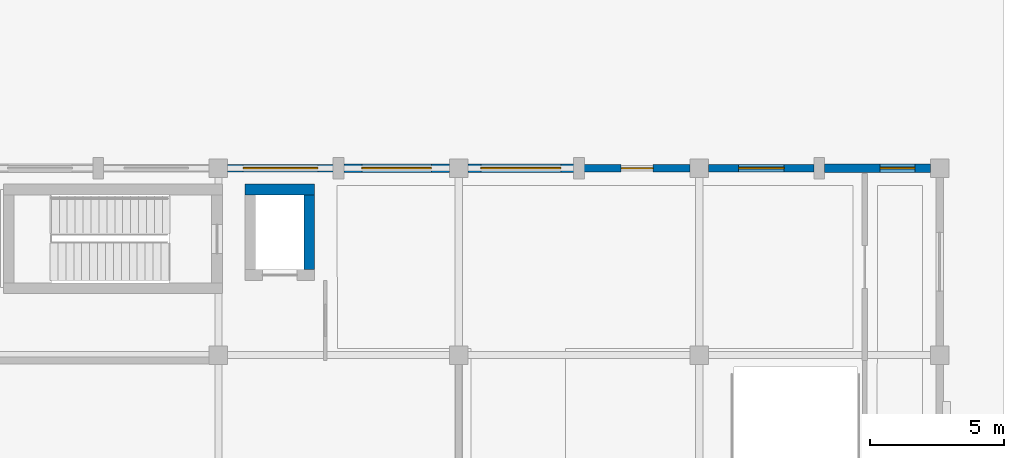
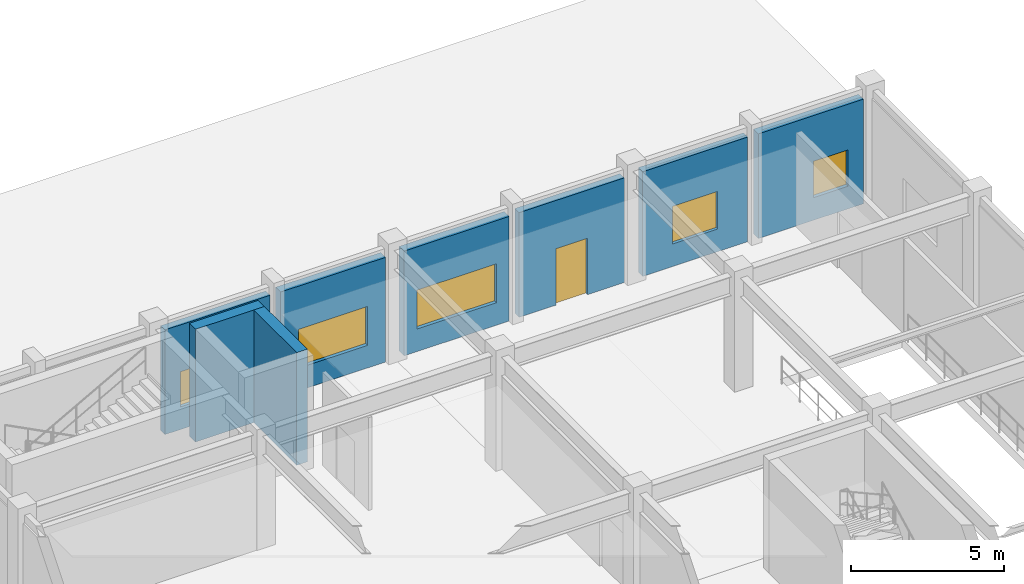
# One storey, part 40 of 47: 8 walls, 5 windows, 1 door, 6 openings.
"""IFC4 building model written with IfcOpenShell, lengths in metres."""

from ifc_helpers import new_model, si_unit, direction, frame, frame_2d, origin, place, context, subcontext, project, spatial, rectangle, extrude, material, layer, layer_set, type_object, element, fill, save


model = new_model("IFC4")

# Units and contexts
model_context = context("Model", 3, precision=1e-05, world=origin(), true_north=direction((0.0, 1.0)))
body_context = subcontext(model_context, "Body", "Model", "MODEL_VIEW")
ifc_project = project(units=[si_unit("LENGTHUNIT", "METRE"), si_unit("AREAUNIT", "SQUARE_METRE"), si_unit("VOLUMEUNIT", "CUBIC_METRE"), si_unit("PLANEANGLEUNIT", "RADIAN"), si_unit("MASSUNIT", "GRAM", prefix="KILO")], contexts=[model_context])

# Site, building, storey
site_placement = place(None, origin())
site = spatial("IfcSite", under=ifc_project, at=site_placement, CompositionType="ELEMENT")
building_placement = place(site_placement, origin())
building = spatial("IfcBuilding", under=site, at=building_placement, Name="Ventoquebrada Cableway Terminal", CompositionType="ELEMENT")
storey_placement = place(building_placement, origin())
storey = spatial("IfcBuildingStorey", under=building, at=storey_placement, Name="L00", CompositionType="ELEMENT", Elevation=0.0)

# Walls
ifc_material_1 = material(Name="Concrete C40/50", Category="concrete")
ifc_layer_1 = layer(ifc_material_1, 0.39990234375)
ifc_layer_set_1 = layer_set([ifc_layer_1], Name="Concrete C40/50")
wall_type_1 = type_object("IfcWallType", Name="WL-CR1", PredefinedType="SHEAR", material=ifc_layer_set_1)
wall_1_placement = place(storey_placement, frame((141.39990234375, 98.199951171875, 0.0), z_axis=(0.0, 0.0, 1.0), x_axis=(0.0, 1.0, 0.0)))
element("IfcWall", 1, at=wall_1_placement, inside=storey, type_object=wall_type_1, Name="Core shear wall IW-0166", PredefinedType="SHEAR", context=body_context, shape_type="SweptSolid", body=[
    extrude(rectangle(XDim=2.800048828125, YDim=0.39990234375, at=frame_2d((1.39990234375, 0.0))), origin(), (0.0, 0.0, 1.0), 4.489990234375),
])
wall_2_placement = place(storey_placement, frame((141.60009765625, 101.199951171875, 0.0), z_axis=(0.0, 0.0, 1.0), x_axis=(-1.0, 0.0, 0.0)))
element("IfcWall", 2, at=wall_2_placement, inside=storey, type_object=wall_type_1, Name="Core shear wall IW-0167", PredefinedType="SHEAR", context=body_context, shape_type="SweptSolid", body=[
    extrude(rectangle(XDim=2.60009765625, YDim=0.39990234375, at=frame_2d((1.300048828125, 0.0))), origin(), (0.0, 0.0, 1.0), 4.489990234375),
])

# Wall, opening, window
ifc_material_2 = material(Name="Precast architectural concrete C40/50", Category="concrete")
ifc_layer_2 = layer(ifc_material_2, 0.280029296875)
ifc_layer_set_2 = layer_set([ifc_layer_2], Name="Precast architectural concrete C40/50")
wall_type_2 = type_object("IfcWallType", Name="WL-EX1", PredefinedType="SOLIDWALL", material=ifc_layer_set_2)
wall_3_placement = place(storey_placement, frame((142.304931640625, 102.0, 0.0), z_axis=(0.0, 0.0, 1.0), x_axis=(-1.0, 0.0, 0.0)))
wall_3 = element("IfcWall", 3, at=wall_3_placement, inside=storey, type_object=wall_type_2, Name="Exterior architectural wall EW-0248", PredefinedType="SOLIDWALL", context=body_context, shape_type="SweptSolid", body=[
    extrude(rectangle(XDim=3.9599609375, YDim=0.280029296875, at=frame_2d((1.97998046875, 0.0))), origin(), (0.0, 0.0, 1.0), 4.169921875),
])
opening_1_placement = place(wall_3_placement, frame((0.580078125, 0.0, 0.89990234375)))
opening_1 = element("IfcOpeningElement", 4, at=opening_1_placement, cuts=wall_3, Name="Opening WN-133", PredefinedType="OPENING", context=body_context, shape_type="SweptSolid", body=[
    extrude(rectangle(XDim=2.800048828125, YDim=1.39990234375, at=frame_2d((1.39990234375, 0.699951171875))), frame((0.0, 0.14990234375, 0.0), z_axis=(0.0, -1.0, 0.0), x_axis=(1.0, 0.0, 0.0)), (0.0, 0.0, 1.0), 0.300048828125),
])
ifc_material_3 = material(Name="Double low-e laminated safety glazing", Category="glass")
window_type_1 = type_object("IfcWindowType", Name="WT-13", PartitioningType="SINGLE_PANEL", PredefinedType="WINDOW", material=ifc_material_3)
window_1_placement = place(opening_1_placement, origin())
window_1 = element("IfcWindow", 5, at=window_1_placement, inside=storey, type_object=window_type_1, Name="Architectural punched window WN-133", OverallHeight=1.39990234375, OverallWidth=2.800048828125, PartitioningType="SINGLE_PANEL", PredefinedType="WINDOW", context=body_context, shape_type="SweptSolid", body=[
    extrude(rectangle(XDim=2.800048828125, YDim=1.39990234375, at=frame_2d((1.39990234375, 0.699951171875))), frame((0.0, 0.030029296875, 0.0), z_axis=(0.0, -1.0, 0.0), x_axis=(1.0, 0.0, 0.0)), (0.0, 0.0, 1.0), 0.06005859375),
])
fill(opening_1, window_1)

# Wall, opening, door
wall_4_placement = place(storey_placement, frame((155.655029296875, 102.0, 0.0), z_axis=(0.0, 0.0, 1.0), x_axis=(-1.0, 0.0, 0.0)))
wall_4 = element("IfcWall", 6, at=wall_4_placement, inside=storey, type_object=wall_type_2, Name="Exterior architectural wall EW-0249", PredefinedType="SOLIDWALL", context=body_context, shape_type="SweptSolid", body=[
    extrude(rectangle(XDim=3.9599609375, YDim=0.280029296875, at=frame_2d((1.97998046875, 0.0))), origin(), (0.0, 0.0, 1.0), 4.169921875),
])
opening_2_placement = place(wall_4_placement, frame((1.3798828125, 0.0, 0.0)))
opening_2 = element("IfcOpeningElement", 7, at=opening_2_placement, cuts=wall_4, Name="Opening D-EX-19", PredefinedType="OPENING", context=body_context, shape_type="SweptSolid", body=[
    extrude(rectangle(XDim=1.199951171875, YDim=2.25, at=frame_2d((0.60009765625, 1.125))), frame((0.0, 0.14990234375, 0.0), z_axis=(0.0, -1.0, 0.0), x_axis=(1.0, 0.0, 0.0)), (0.0, 0.0, 1.0), 0.300048828125),
])
ifc_material_4 = material(Name="Galvanized acoustic steel door assembly", Category="steel")
door_type = type_object("IfcDoorType", Name="DT-EX05", OperationType="SINGLE_SWING_RIGHT", PredefinedType="DOOR", material=ifc_material_4)
door_placement = place(opening_2_placement, origin())
door = element("IfcDoor", 8, at=door_placement, inside=storey, type_object=door_type, Name="Exterior d-ex door D-EX-19", OperationType="SINGLE_SWING_RIGHT", OverallHeight=2.25, OverallWidth=1.199951171875, PredefinedType="DOOR", context=body_context, shape_type="SweptSolid", body=[
    extrude(rectangle(XDim=1.199951171875, YDim=2.25, at=frame_2d((0.60009765625, 1.125))), frame((0.0, 0.02490234375, 0.0), z_axis=(0.0, -1.0, 0.0), x_axis=(1.0, 0.0, 0.0)), (0.0, 0.0, 1.0), 0.050048828125),
])
fill(opening_2, door)

# Wall, opening, window
wall_5_placement = place(storey_placement, frame((160.304931640625, 102.0, 0.0), z_axis=(0.0, 0.0, 1.0), x_axis=(-1.0, 0.0, 0.0)))
wall_5 = element("IfcWall", 9, at=wall_5_placement, inside=storey, type_object=wall_type_2, Name="Exterior architectural wall EW-0252", PredefinedType="SOLIDWALL", context=body_context, shape_type="SweptSolid", body=[
    extrude(rectangle(XDim=3.9599609375, YDim=0.280029296875, at=frame_2d((1.97998046875, 0.0))), origin(), (0.0, 0.0, 1.0), 4.169921875),
])
opening_3_placement = place(wall_5_placement, frame((1.1298828125, 0.0, 0.89990234375)))
opening_3 = element("IfcOpeningElement", 10, at=opening_3_placement, cuts=wall_5, Name="Opening WN-136", PredefinedType="OPENING", context=body_context, shape_type="SweptSolid", body=[
    extrude(rectangle(XDim=1.699951171875, YDim=1.5, at=frame_2d((0.85009765625, 0.75))), frame((0.0, 0.14990234375, 0.0), z_axis=(0.0, -1.0, 0.0), x_axis=(1.0, 0.0, 0.0)), (0.0, 0.0, 1.0), 0.300048828125),
])
window_type_2 = type_object("IfcWindowType", Name="WT-16", PartitioningType="SINGLE_PANEL", PredefinedType="WINDOW", material=ifc_material_3)
window_2_placement = place(opening_3_placement, origin())
window_2 = element("IfcWindow", 11, at=window_2_placement, inside=storey, type_object=window_type_2, Name="Architectural punched window WN-136", OverallHeight=1.5, OverallWidth=1.699951171875, PartitioningType="SINGLE_PANEL", PredefinedType="WINDOW", context=body_context, shape_type="SweptSolid", body=[
    extrude(rectangle(XDim=1.699951171875, YDim=1.5, at=frame_2d((0.85009765625, 0.75))), frame((0.0, 0.030029296875, 0.0), z_axis=(0.0, -1.0, 0.0), x_axis=(1.0, 0.0, 0.0)), (0.0, 0.0, 1.0), 0.06005859375),
])
fill(opening_3, window_2)

ifc_layer_3 = layer(ifc_material_2, 0.320068359375)
ifc_layer_set_3 = layer_set([ifc_layer_3], Name="Precast architectural concrete C40/50")
wall_type_3 = type_object("IfcWallType", Name="WL-EX2", PredefinedType="SOLIDWALL", material=ifc_layer_set_3)
wall_6_placement = place(storey_placement, frame((146.655029296875, 102.0, 0.0), z_axis=(0.0, 0.0, 1.0), x_axis=(-1.0, 0.0, 0.0)))
wall_6 = element("IfcWall", 12, at=wall_6_placement, inside=storey, type_object=wall_type_3, Name="Exterior architectural wall EW-0247", PredefinedType="SOLIDWALL", context=body_context, shape_type="SweptSolid", body=[
    extrude(rectangle(XDim=3.9599609375, YDim=0.320068359375, at=frame_2d((1.97998046875, 0.0))), origin(), (0.0, 0.0, 1.0), 4.169921875),
])
opening_4_placement = place(wall_6_placement, frame((0.679931640625, 0.0, 0.89990234375)))
opening_4 = element("IfcOpeningElement", 13, at=opening_4_placement, cuts=wall_6, Name="Opening WN-132", PredefinedType="OPENING", context=body_context, shape_type="SweptSolid", body=[
    extrude(rectangle(XDim=2.60009765625, YDim=1.550048828125, at=frame_2d((1.300048828125, 0.77490234375))), frame((0.0, 0.169921875, 0.0), z_axis=(0.0, -1.0, 0.0), x_axis=(1.0, 0.0, 0.0)), (0.0, 0.0, 1.0), 0.340087890625),
])
window_type_3 = type_object("IfcWindowType", Name="WT-12", PartitioningType="SINGLE_PANEL", PredefinedType="WINDOW", material=ifc_material_3)
window_3_placement = place(opening_4_placement, origin())
window_3 = element("IfcWindow", 14, at=window_3_placement, inside=storey, type_object=window_type_3, Name="Architectural punched window WN-132", OverallHeight=1.550048828125, OverallWidth=2.60009765625, PartitioningType="SINGLE_PANEL", PredefinedType="WINDOW", context=body_context, shape_type="SweptSolid", body=[
    extrude(rectangle(XDim=2.60009765625, YDim=1.550048828125, at=frame_2d((1.300048828125, 0.77490234375))), frame((0.0, 0.030029296875, 0.0), z_axis=(0.0, -1.0, 0.0), x_axis=(1.0, 0.0, 0.0)), (0.0, 0.0, 1.0), 0.06005859375),
])
fill(opening_4, window_3)

wall_7_placement = place(storey_placement, frame((151.304931640625, 102.0, 0.0), z_axis=(0.0, 0.0, 1.0), x_axis=(-1.0, 0.0, 0.0)))
wall_7 = element("IfcWall", 15, at=wall_7_placement, inside=storey, type_object=wall_type_3, Name="Exterior architectural wall EW-0250", PredefinedType="SOLIDWALL", context=body_context, shape_type="SweptSolid", body=[
    extrude(rectangle(XDim=3.9599609375, YDim=0.320068359375, at=frame_2d((1.97998046875, 0.0))), origin(), (0.0, 0.0, 1.0), 4.169921875),
])
opening_5_placement = place(wall_7_placement, frame((0.47998046875, 0.0, 0.89990234375)))
opening_5 = element("IfcOpeningElement", 16, at=opening_5_placement, cuts=wall_7, Name="Opening WN-134", PredefinedType="OPENING", context=body_context, shape_type="SweptSolid", body=[
    extrude(rectangle(XDim=3.0, YDim=1.550048828125, at=frame_2d((1.5, 0.77490234375))), frame((0.0, 0.169921875, 0.0), z_axis=(0.0, -1.0, 0.0), x_axis=(1.0, 0.0, 0.0)), (0.0, 0.0, 1.0), 0.340087890625),
])
window_type_4 = type_object("IfcWindowType", Name="WT-14", PartitioningType="SINGLE_PANEL", PredefinedType="WINDOW", material=ifc_material_3)
window_4_placement = place(opening_5_placement, origin())
window_4 = element("IfcWindow", 17, at=window_4_placement, inside=storey, type_object=window_type_4, Name="Architectural punched window WN-134", OverallHeight=1.550048828125, OverallWidth=3.0, PartitioningType="SINGLE_PANEL", PredefinedType="WINDOW", context=body_context, shape_type="SweptSolid", body=[
    extrude(rectangle(XDim=3.0, YDim=1.550048828125, at=frame_2d((1.5, 0.77490234375))), frame((0.0, 0.030029296875, 0.0), z_axis=(0.0, -1.0, 0.0), x_axis=(1.0, 0.0, 0.0)), (0.0, 0.0, 1.0), 0.06005859375),
])
fill(opening_5, window_4)

wall_8_placement = place(storey_placement, frame((164.655029296875, 102.0, 0.0), z_axis=(0.0, 0.0, 1.0), x_axis=(-1.0, 0.0, 0.0)))
wall_8 = element("IfcWall", 18, at=wall_8_placement, inside=storey, type_object=wall_type_3, Name="Exterior architectural wall EW-0251", PredefinedType="SOLIDWALL", context=body_context, shape_type="SweptSolid", body=[
    extrude(rectangle(XDim=3.9599609375, YDim=0.320068359375, at=frame_2d((1.97998046875, 0.0))), origin(), (0.0, 0.0, 1.0), 4.169921875),
])
opening_6_placement = place(wall_8_placement, frame((0.580078125, 0.0, 0.89990234375)))
opening_6 = element("IfcOpeningElement", 19, at=opening_6_placement, cuts=wall_8, Name="Opening WN-135", PredefinedType="OPENING", context=body_context, shape_type="SweptSolid", body=[
    extrude(rectangle(XDim=1.300048828125, YDim=1.449951171875, at=frame_2d((0.64990234375, 0.72509765625))), frame((0.0, 0.169921875, 0.0), z_axis=(0.0, -1.0, 0.0), x_axis=(1.0, 0.0, 0.0)), (0.0, 0.0, 1.0), 0.340087890625),
])
window_type_5 = type_object("IfcWindowType", Name="WT-15", PartitioningType="SINGLE_PANEL", PredefinedType="WINDOW", material=ifc_material_3)
window_5_placement = place(opening_6_placement, origin())
window_5 = element("IfcWindow", 20, at=window_5_placement, inside=storey, type_object=window_type_5, Name="Architectural punched window WN-135", OverallHeight=1.449951171875, OverallWidth=1.300048828125, PartitioningType="SINGLE_PANEL", PredefinedType="WINDOW", context=body_context, shape_type="SweptSolid", body=[
    extrude(rectangle(XDim=1.300048828125, YDim=1.449951171875, at=frame_2d((0.64990234375, 0.72509765625))), frame((0.0, 0.030029296875, 0.0), z_axis=(0.0, -1.0, 0.0), x_axis=(1.0, 0.0, 0.0)), (0.0, 0.0, 1.0), 0.06005859375),
])
fill(opening_6, window_5)

save(model, "model.ifc")
